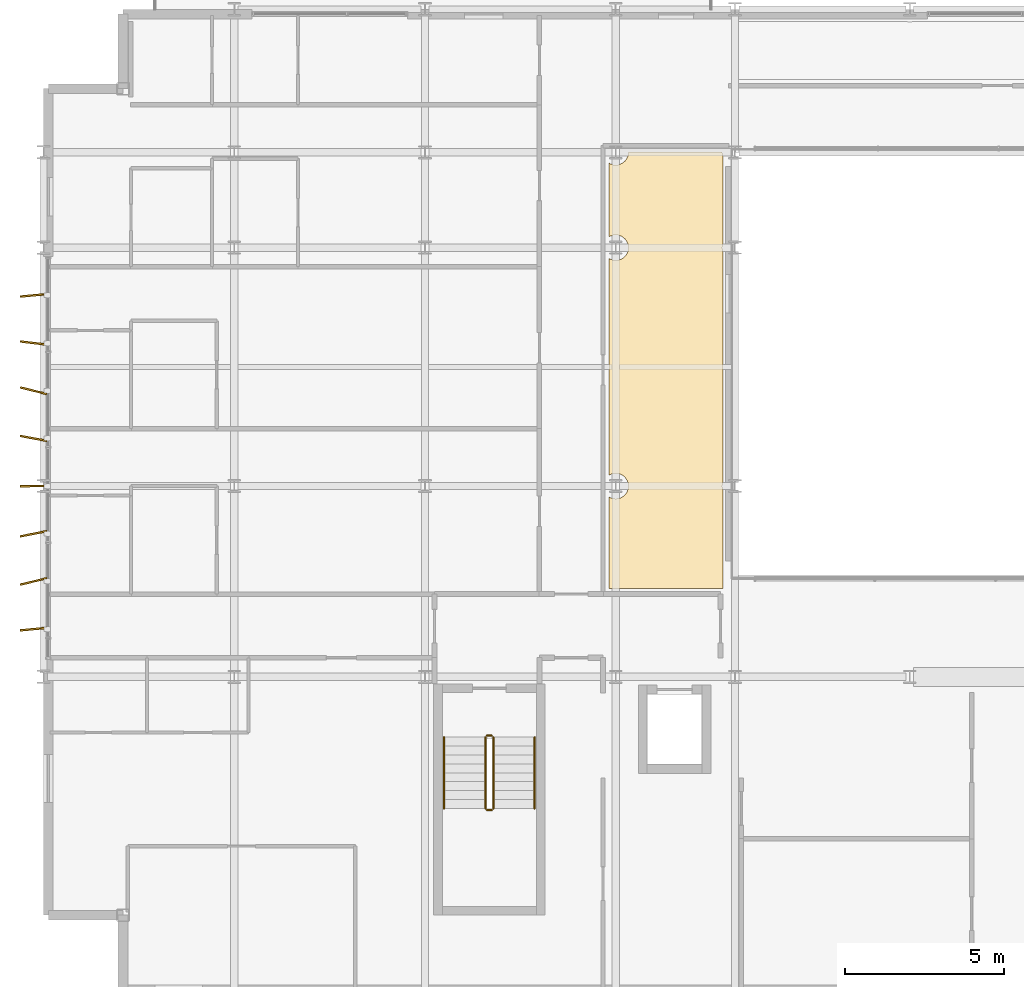
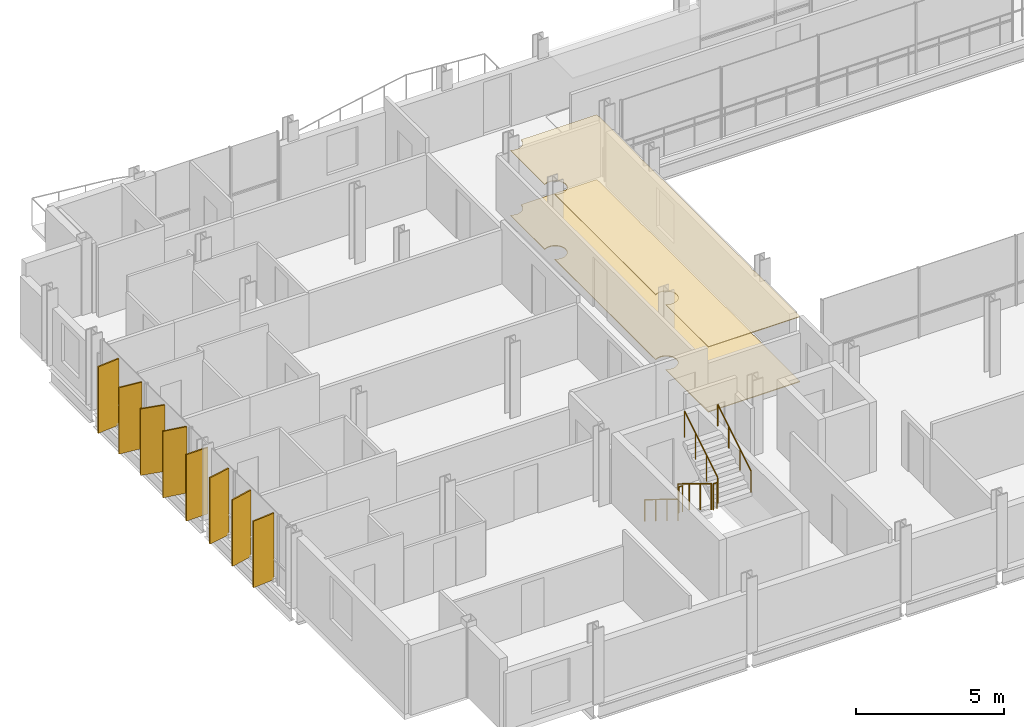
# One storey, part 37 of 39: 8 shading devices, 6 railings, 2 coverings.
"""IFC4 building model written with IfcOpenShell, lengths in metres."""

from ifc_helpers import new_model, si_unit, direction, frame, origin, origin_2d, place, context, subcontext, project, spatial, polyline, rectangle, circle, outline, extrude, material, layer, layer_set, type_object, element, save


model = new_model("IFC4")

# Units and contexts
model_context = context("Model", 3, precision=1e-05, world=origin(), true_north=direction((0.0, 1.0)))
body_context = subcontext(model_context, "Body", "Model", "MODEL_VIEW")
ifc_project = project(units=[si_unit("LENGTHUNIT", "METRE"), si_unit("AREAUNIT", "SQUARE_METRE"), si_unit("VOLUMEUNIT", "CUBIC_METRE"), si_unit("PLANEANGLEUNIT", "RADIAN"), si_unit("MASSUNIT", "GRAM", prefix="KILO")], contexts=[model_context])

# Site, building, storey
site_placement = place(None, origin())
site = spatial("IfcSite", under=ifc_project, at=site_placement, CompositionType="ELEMENT")
building_placement = place(site_placement, origin())
building = spatial("IfcBuilding", under=site, at=building_placement, Name="Brevholm Reach", CompositionType="ELEMENT")
storey_placement = place(building_placement, frame((0.0, 0.0, 154.199951171875)))
storey = spatial("IfcBuildingStorey", under=building, at=storey_placement, Name="L46", CompositionType="ELEMENT", Elevation=154.199951171875)

# Coverings
ifc_material_1 = material(Name="Moisture-Resistant Skimmed Gypsum Plasterboard Ceiling", Category="gypsum")
ifc_layer_1 = layer(ifc_material_1, 0.030029296875)
ifc_layer_set_1 = layer_set([ifc_layer_1], Name="Moisture-Resistant Skimmed Gypsum Plasterboard Ceiling")
covering_type_1 = type_object("IfcCoveringType", Name="COV-CLG-GYP", PredefinedType="CEILING", material=ifc_layer_set_1)
covering_1_placement = place(storey_placement, frame((0.0, 0.0, 2.679931640625)))
element("IfcCovering", 1, at=covering_1_placement, inside=storey, type_object=covering_type_1, Name="L46 Suspended Ceiling L46-53", PredefinedType="CEILING", context=body_context, shape_type="SweptSolid", body=[
    extrude(outline(polyline([(21.3701171875, 23.623779296875), (21.3671875, 23.6162109375), (21.357666015625, 23.577880859375), (21.351806640625, 23.539306640625), (21.35009765625, 23.5), (21.351806640625, 23.460693359375), (21.357666015625, 23.422119140625), (21.3671875, 23.3837890625), (21.3701171875, 23.376220703125), (21.3701171875, 16.123779296875), (21.3671875, 16.1162109375), (21.357666015625, 16.077880859375), (21.351806640625, 16.039306640625), (21.35009765625, 16.0), (21.351806640625, 15.960693359375), (21.357666015625, 15.922119140625), (21.3671875, 15.8837890625), (21.3701171875, 15.876220703125), (21.3701171875, 12.783935546875), (17.783935546875, 12.783935546875), (17.783935546875, 15.663818359375), (17.811279296875, 15.647216796875), (17.846923828125, 15.63037109375), (17.8837890625, 15.6171875), (17.922119140625, 15.607666015625), (17.960693359375, 15.601806640625), (18.0, 15.60009765625), (18.039306640625, 15.601806640625), (18.077880859375, 15.607666015625), (18.1162109375, 15.6171875), (18.153076171875, 15.63037109375), (18.188720703125, 15.647216796875), (18.22216796875, 15.66748046875), (18.25390625, 15.69091796875), (18.28271484375, 15.71728515625), (18.30908203125, 15.74609375), (18.33251953125, 15.77783203125), (18.352783203125, 15.811279296875), (18.36962890625, 15.846923828125), (18.3828125, 15.8837890625), (18.392333984375, 15.922119140625), (18.398193359375, 15.960693359375), (18.39990234375, 16.0), (18.398193359375, 16.039306640625), (18.392333984375, 16.077880859375), (18.3828125, 16.1162109375), (18.36962890625, 16.153076171875), (18.352783203125, 16.188720703125), (18.33251953125, 16.22216796875), (18.30908203125, 16.25390625), (18.28271484375, 16.28271484375), (18.25390625, 16.30908203125), (18.22216796875, 16.33251953125), (18.188720703125, 16.352783203125), (18.153076171875, 16.36962890625), (18.1162109375, 16.3828125), (18.077880859375, 16.392333984375), (18.039306640625, 16.398193359375), (18.0, 16.39990234375), (17.960693359375, 16.398193359375), (17.922119140625, 16.392333984375), (17.8837890625, 16.3828125), (17.846923828125, 16.36962890625), (17.811279296875, 16.352783203125), (17.783935546875, 16.336181640625), (17.783935546875, 23.163818359375), (17.811279296875, 23.147216796875), (17.846923828125, 23.13037109375), (17.8837890625, 23.1171875), (17.922119140625, 23.107666015625), (17.960693359375, 23.101806640625), (18.0, 23.10009765625), (18.039306640625, 23.101806640625), (18.077880859375, 23.107666015625), (18.1162109375, 23.1171875), (18.153076171875, 23.13037109375), (18.188720703125, 23.147216796875), (18.22216796875, 23.16748046875), (18.25390625, 23.19091796875), (18.28271484375, 23.21728515625), (18.30908203125, 23.24609375), (18.33251953125, 23.27783203125), (18.352783203125, 23.311279296875), (18.36962890625, 23.346923828125), (18.3828125, 23.3837890625), (18.392333984375, 23.422119140625), (18.398193359375, 23.460693359375), (18.39990234375, 23.5), (18.398193359375, 23.539306640625), (18.392333984375, 23.577880859375), (18.3828125, 23.6162109375), (18.36962890625, 23.653076171875), (18.352783203125, 23.688720703125), (18.33251953125, 23.72216796875), (18.30908203125, 23.75390625), (18.28271484375, 23.78271484375), (18.25390625, 23.80908203125), (18.22216796875, 23.83251953125), (18.188720703125, 23.852783203125), (18.153076171875, 23.86962890625), (18.1162109375, 23.8828125), (18.077880859375, 23.892333984375), (18.039306640625, 23.898193359375), (18.0, 23.89990234375), (17.960693359375, 23.898193359375), (17.922119140625, 23.892333984375), (17.8837890625, 23.8828125), (17.846923828125, 23.86962890625), (17.811279296875, 23.852783203125), (17.783935546875, 23.836181640625), (17.783935546875, 26.163818359375), (17.811279296875, 26.147216796875), (17.846923828125, 26.13037109375), (17.8837890625, 26.1171875), (17.922119140625, 26.107666015625), (17.960693359375, 26.101806640625), (18.0, 26.10009765625), (18.039306640625, 26.101806640625), (18.077880859375, 26.107666015625), (18.1162109375, 26.1171875), (18.153076171875, 26.13037109375), (18.188720703125, 26.147216796875), (18.22216796875, 26.16748046875), (18.25390625, 26.19091796875), (18.28271484375, 26.21728515625), (18.30908203125, 26.24609375), (18.33251953125, 26.27783203125), (18.352783203125, 26.311279296875), (18.36962890625, 26.346923828125), (18.3828125, 26.3837890625), (18.392333984375, 26.422119140625), (18.398193359375, 26.460693359375), (18.39990234375, 26.5), (18.399169921875, 26.51611328125), (21.350830078125, 26.51611328125), (21.35009765625, 26.5), (21.351806640625, 26.460693359375), (21.357666015625, 26.422119140625), (21.3671875, 26.3837890625), (21.3701171875, 26.376220703125), (21.3701171875, 23.623779296875)])), origin(), (0.0, 0.0, 1.0), 0.030029296875),
])
ifc_material_2 = material(Name="Honed Portland-Aggregate Resin Terrazzo Flooring", Category="concrete")
ifc_layer_2 = layer(ifc_material_2, 0.031982421875)
ifc_layer_set_2 = layer_set([ifc_layer_2], Name="Honed Portland-Aggregate Resin Terrazzo Flooring")
covering_type_2 = type_object("IfcCoveringType", Name="COV-FLR-TRZ", PredefinedType="FLOORING", material=ifc_layer_set_2)
covering_2_placement = place(storey_placement, origin())
element("IfcCovering", 2, at=covering_2_placement, inside=storey, type_object=covering_type_2, Name="L46 Floor Finish L46-53", PredefinedType="FLOORING", context=body_context, shape_type="SweptSolid", body=[
    extrude(outline(polyline([(21.3701171875, 23.623779296875), (21.3671875, 23.6162109375), (21.357666015625, 23.577880859375), (21.351806640625, 23.539306640625), (21.35009765625, 23.5), (21.351806640625, 23.460693359375), (21.357666015625, 23.422119140625), (21.3671875, 23.3837890625), (21.3701171875, 23.376220703125), (21.3701171875, 16.123779296875), (21.3671875, 16.1162109375), (21.357666015625, 16.077880859375), (21.351806640625, 16.039306640625), (21.35009765625, 16.0), (21.351806640625, 15.960693359375), (21.357666015625, 15.922119140625), (21.3671875, 15.8837890625), (21.3701171875, 15.876220703125), (21.3701171875, 12.783935546875), (17.783935546875, 12.783935546875), (17.783935546875, 15.663818359375), (17.811279296875, 15.647216796875), (17.846923828125, 15.63037109375), (17.8837890625, 15.6171875), (17.922119140625, 15.607666015625), (17.960693359375, 15.601806640625), (18.0, 15.60009765625), (18.039306640625, 15.601806640625), (18.077880859375, 15.607666015625), (18.1162109375, 15.6171875), (18.153076171875, 15.63037109375), (18.188720703125, 15.647216796875), (18.22216796875, 15.66748046875), (18.25390625, 15.69091796875), (18.28271484375, 15.71728515625), (18.30908203125, 15.74609375), (18.33251953125, 15.77783203125), (18.352783203125, 15.811279296875), (18.36962890625, 15.846923828125), (18.3828125, 15.8837890625), (18.392333984375, 15.922119140625), (18.398193359375, 15.960693359375), (18.39990234375, 16.0), (18.398193359375, 16.039306640625), (18.392333984375, 16.077880859375), (18.3828125, 16.1162109375), (18.36962890625, 16.153076171875), (18.352783203125, 16.188720703125), (18.33251953125, 16.22216796875), (18.30908203125, 16.25390625), (18.28271484375, 16.28271484375), (18.25390625, 16.30908203125), (18.22216796875, 16.33251953125), (18.188720703125, 16.352783203125), (18.153076171875, 16.36962890625), (18.1162109375, 16.3828125), (18.077880859375, 16.392333984375), (18.039306640625, 16.398193359375), (18.0, 16.39990234375), (17.960693359375, 16.398193359375), (17.922119140625, 16.392333984375), (17.8837890625, 16.3828125), (17.846923828125, 16.36962890625), (17.811279296875, 16.352783203125), (17.783935546875, 16.336181640625), (17.783935546875, 23.163818359375), (17.811279296875, 23.147216796875), (17.846923828125, 23.13037109375), (17.8837890625, 23.1171875), (17.922119140625, 23.107666015625), (17.960693359375, 23.101806640625), (18.0, 23.10009765625), (18.039306640625, 23.101806640625), (18.077880859375, 23.107666015625), (18.1162109375, 23.1171875), (18.153076171875, 23.13037109375), (18.188720703125, 23.147216796875), (18.22216796875, 23.16748046875), (18.25390625, 23.19091796875), (18.28271484375, 23.21728515625), (18.30908203125, 23.24609375), (18.33251953125, 23.27783203125), (18.352783203125, 23.311279296875), (18.36962890625, 23.346923828125), (18.3828125, 23.3837890625), (18.392333984375, 23.422119140625), (18.398193359375, 23.460693359375), (18.39990234375, 23.5), (18.398193359375, 23.539306640625), (18.392333984375, 23.577880859375), (18.3828125, 23.6162109375), (18.36962890625, 23.653076171875), (18.352783203125, 23.688720703125), (18.33251953125, 23.72216796875), (18.30908203125, 23.75390625), (18.28271484375, 23.78271484375), (18.25390625, 23.80908203125), (18.22216796875, 23.83251953125), (18.188720703125, 23.852783203125), (18.153076171875, 23.86962890625), (18.1162109375, 23.8828125), (18.077880859375, 23.892333984375), (18.039306640625, 23.898193359375), (18.0, 23.89990234375), (17.960693359375, 23.898193359375), (17.922119140625, 23.892333984375), (17.8837890625, 23.8828125), (17.846923828125, 23.86962890625), (17.811279296875, 23.852783203125), (17.783935546875, 23.836181640625), (17.783935546875, 26.163818359375), (17.811279296875, 26.147216796875), (17.846923828125, 26.13037109375), (17.8837890625, 26.1171875), (17.922119140625, 26.107666015625), (17.960693359375, 26.101806640625), (18.0, 26.10009765625), (18.039306640625, 26.101806640625), (18.077880859375, 26.107666015625), (18.1162109375, 26.1171875), (18.153076171875, 26.13037109375), (18.188720703125, 26.147216796875), (18.22216796875, 26.16748046875), (18.25390625, 26.19091796875), (18.28271484375, 26.21728515625), (18.30908203125, 26.24609375), (18.33251953125, 26.27783203125), (18.352783203125, 26.311279296875), (18.36962890625, 26.346923828125), (18.3828125, 26.3837890625), (18.392333984375, 26.422119140625), (18.398193359375, 26.460693359375), (18.39990234375, 26.5), (18.399169921875, 26.51611328125), (21.350830078125, 26.51611328125), (21.35009765625, 26.5), (21.351806640625, 26.460693359375), (21.357666015625, 26.422119140625), (21.3671875, 26.3837890625), (21.3701171875, 26.376220703125), (21.3701171875, 23.623779296875)])), origin(), (0.0, 0.0, 1.0), 0.031982421875),
])

# Railings
ifc_material_3 = material(Name="Brushed Stainless Steel EN 1.4401 Continuous Handrail", Category="steel")
railing_type_1 = type_object("IfcRailingType", Name="RAL-HND-950", PredefinedType="HANDRAIL", material=ifc_material_3)
railing_1_placement = place(storey_placement, frame((12.60009765625, 8.10009765625, 0.17236328125)))
element("IfcRailing", 3, at=railing_1_placement, inside=storey, type_object=railing_type_1, Name="L46 ST-1 stair handrail 1", PredefinedType="HANDRAIL", context=body_context, shape_type="SweptSolid", body=[
    extrude(circle(Radius=0.02392578125, at=origin_2d()), frame((0.0, 0.0, 0.8857421875), z_axis=(0.0, -0.85178898068, 0.523885037382), x_axis=(1.0, 0.0, 0.0)), (0.0, 0.0, 1.0), 2.629638671875),
    extrude(circle(Radius=0.02099609375, at=origin_2d()), origin(), (0.0, 0.0, 1.0), 0.86181640625),
    extrude(circle(Radius=0.02099609375, at=origin_2d()), frame((0.0, -0.74658203125, 0.459228515625)), (0.0, 0.0, 1.0), 0.86181640625),
    extrude(circle(Radius=0.02099609375, at=origin_2d()), frame((0.0, -1.493408203125, 0.91845703125)), (0.0, 0.0, 1.0), 0.86181640625),
    extrude(circle(Radius=0.02099609375, at=origin_2d()), frame((0.0, -2.239990234375, 1.377685546875)), (0.0, 0.0, 1.0), 0.86181640625),
])
railing_2_placement = place(storey_placement, frame((15.449951171875, 5.860107421875, 1.72216796875)))
element("IfcRailing", 4, at=railing_2_placement, inside=storey, type_object=railing_type_1, Name="L46 ST-1 stair handrail 2", PredefinedType="HANDRAIL", context=body_context, shape_type="SweptSolid", body=[
    extrude(circle(Radius=0.02392578125, at=origin_2d()), frame((0.0, 0.0, 0.8857421875), z_axis=(0.0, 0.851747552033, 0.523952390591), x_axis=(-1.0, 0.0, 0.0)), (0.0, 0.0, 1.0), 2.6298828125),
    extrude(circle(Radius=0.02099609375, at=origin_2d()), origin(), (0.0, 0.0, 1.0), 0.86181640625),
    extrude(circle(Radius=0.02099609375, at=origin_2d()), frame((0.0, 0.74658203125, 0.459228515625)), (0.0, 0.0, 1.0), 0.86181640625),
    extrude(circle(Radius=0.02099609375, at=origin_2d()), frame((0.0, 1.493408203125, 0.918701171875)), (0.0, 0.0, 1.0), 0.86181640625),
    extrude(circle(Radius=0.02099609375, at=origin_2d()), frame((0.0, 2.239990234375, 1.3779296875)), (0.0, 0.0, 1.0), 0.86181640625),
])
ifc_material_4 = material(Name="Painted Tubular Galvanised Steel S275JR Stair Guard", Category="steel")
railing_type_2 = type_object("IfcRailingType", Name="RAL-STG-1120", PredefinedType="BALUSTRADE", material=ifc_material_4)
railing_3_placement = place(storey_placement, frame((13.89990234375, 8.10009765625, 0.17236328125)))
element("IfcRailing", 5, at=railing_3_placement, inside=storey, type_object=railing_type_2, Name="L46 ST-1 stair guard 1", PredefinedType="BALUSTRADE", context=body_context, shape_type="SweptSolid", body=[
    extrude(circle(Radius=0.02392578125, at=origin_2d()), frame((0.0, 0.0, 1.076171875), z_axis=(0.0, -0.85178898068, 0.523885037382), x_axis=(1.0, 0.0, 0.0)), (0.0, 0.0, 1.0), 2.629638671875),
    extrude(circle(Radius=0.02099609375, at=origin_2d()), origin(), (0.0, 0.0, 1.0), 1.052001953125),
    extrude(circle(Radius=0.02099609375, at=origin_2d()), frame((0.0, -0.74658203125, 0.459228515625)), (0.0, 0.0, 1.0), 1.052001953125),
    extrude(circle(Radius=0.02099609375, at=origin_2d()), frame((0.0, -1.493408203125, 0.91845703125)), (0.0, 0.0, 1.0), 1.052001953125),
    extrude(circle(Radius=0.02099609375, at=origin_2d()), frame((0.0, -2.239990234375, 1.377685546875)), (0.0, 0.0, 1.0), 1.052001953125),
])
railing_4_placement = place(storey_placement, frame((13.949951171875, 5.81005859375, 1.550048828125)))
element("IfcRailing", 6, at=railing_4_placement, inside=storey, type_object=railing_type_2, Name="L46 ST-1 stair guard 2", PredefinedType="BALUSTRADE", context=body_context, shape_type="SweptSolid", body=[
    extrude(circle(Radius=0.02392578125, at=origin_2d()), frame((0.0, 0.0, 1.076171875), z_axis=(1.0, 0.0, 0.0), x_axis=(0.0, 1.0, 0.0)), (0.0, 0.0, 1.0), 0.150146484375),
    extrude(circle(Radius=0.02099609375, at=origin_2d()), origin(), (0.0, 0.0, 1.0), 1.052001953125),
    extrude(circle(Radius=0.02099609375, at=origin_2d()), frame((0.150146484375, 0.0, 0.0)), (0.0, 0.0, 1.0), 1.052001953125),
])
railing_5_placement = place(storey_placement, frame((14.14990234375, 5.860107421875, 1.72216796875)))
element("IfcRailing", 7, at=railing_5_placement, inside=storey, type_object=railing_type_2, Name="L46 ST-1 stair guard 3", PredefinedType="BALUSTRADE", context=body_context, shape_type="SweptSolid", body=[
    extrude(circle(Radius=0.02392578125, at=origin_2d()), frame((0.0, 0.0, 1.076171875), z_axis=(0.0, 0.851747552033, 0.523952390591), x_axis=(-1.0, 0.0, 0.0)), (0.0, 0.0, 1.0), 2.6298828125),
    extrude(circle(Radius=0.02099609375, at=origin_2d()), origin(), (0.0, 0.0, 1.0), 1.052001953125),
    extrude(circle(Radius=0.02099609375, at=origin_2d()), frame((0.0, 0.74658203125, 0.459228515625)), (0.0, 0.0, 1.0), 1.052001953125),
    extrude(circle(Radius=0.02099609375, at=origin_2d()), frame((0.0, 1.493408203125, 0.918701171875)), (0.0, 0.0, 1.0), 1.052001953125),
    extrude(circle(Radius=0.02099609375, at=origin_2d()), frame((0.0, 2.239990234375, 1.3779296875)), (0.0, 0.0, 1.0), 1.052001953125),
])
railing_6_placement = place(storey_placement, frame((13.949951171875, 8.14990234375, 0.0)))
element("IfcRailing", 8, at=railing_6_placement, inside=storey, type_object=railing_type_2, Name="L46 ST-1 stair guard 4", PredefinedType="BALUSTRADE", context=body_context, shape_type="SweptSolid", body=[
    extrude(circle(Radius=0.02392578125, at=origin_2d()), frame((0.0, 0.0, 1.076171875), z_axis=(1.0, 0.0, 0.0), x_axis=(0.0, 1.0, 0.0)), (0.0, 0.0, 1.0), 0.150146484375),
    extrude(circle(Radius=0.02099609375, at=origin_2d()), origin(), (0.0, 0.0, 1.0), 1.052001953125),
    extrude(circle(Radius=0.02099609375, at=origin_2d()), frame((0.150146484375, 0.0, 0.0)), (0.0, 0.0, 1.0), 1.052001953125),
])

# Shading devices
ifc_material_5 = material(Name="Perforated Champagne-Bronze Anodised Aluminium", Category="aluminium")
ifc_layer_3 = layer(ifc_material_5, 0.054931640625)
ifc_layer_set_3 = layer_set([ifc_layer_3], Name="Perforated Champagne-Bronze Anodised Aluminium")
shading_device_type = type_object("IfcShadingDeviceType", Name="SHD-FIN-850", PredefinedType="USERDEFINED", material=ifc_layer_set_3)
for number, where, z_axis, x_axis, name in (
    (9, (-0.31494140625, 11.5, 0.06982421875), (0.0, 0.0, 1.0), (-0.995645337691, -0.09322210861, 0.0), "L46 Perforated Solar Screen Fin 1"),
    (10, (-0.31494140625, 13.0, 0.06982421875), (0.0, 0.0, 1.0), (-0.972573269632, -0.232596722241, 0.0), "L46 Perforated Solar Screen Fin 2"),
    (11, (-0.31494140625, 14.5, 0.06982421875), (0.0, 0.0, 1.0), (-0.9801917509, -0.198050830513, 0.0), "L46 Perforated Solar Screen Fin 3"),
    (12, (-0.31494140625, 16.0, 0.06982421875), (0.0, 0.0, 1.0), (-0.999903980643, -0.013857470715, 0.0), "L46 Perforated Solar Screen Fin 4"),
    (13, (-0.31494140625, 17.5, 0.06982421875), (0.0, 0.0, 1.0), (-0.983467336116, 0.181085611777, 0.0), "L46 Perforated Solar Screen Fin 5"),
    (14, (-0.31494140625, 19.0, 0.06982421875), (0.0, 0.0, 1.0), (-0.971117624766, 0.23860125496, 0.0), "L46 Perforated Solar Screen Fin 6"),
    (15, (-0.31494140625, 20.5, 0.06982421875), (0.0, 0.0, 1.0), (-0.993006778393, 0.11805735075, 0.0), "L46 Perforated Solar Screen Fin 7"),
    (16, (-0.31494140625, 22.0, 0.06982421875), (0.0, 0.0, 1.0), (-0.995645337691, -0.09322210861, 0.0), "L46 Perforated Solar Screen Fin 8"),
):
    element("IfcShadingDevice", number, at=place(storey_placement, frame(where, z_axis=z_axis, x_axis=x_axis)), inside=storey, type_object=shading_device_type, Name=name, ObjectType="SCREEN", PredefinedType="USERDEFINED", context=body_context, shape_type="SweptSolid", body=[
        extrude(rectangle(XDim=0.85009765625, YDim=0.054931640625, at=origin_2d()), origin(), (0.0, 0.0, 1.0), 2.739990234375),
    ])

save(model, "model.ifc")
